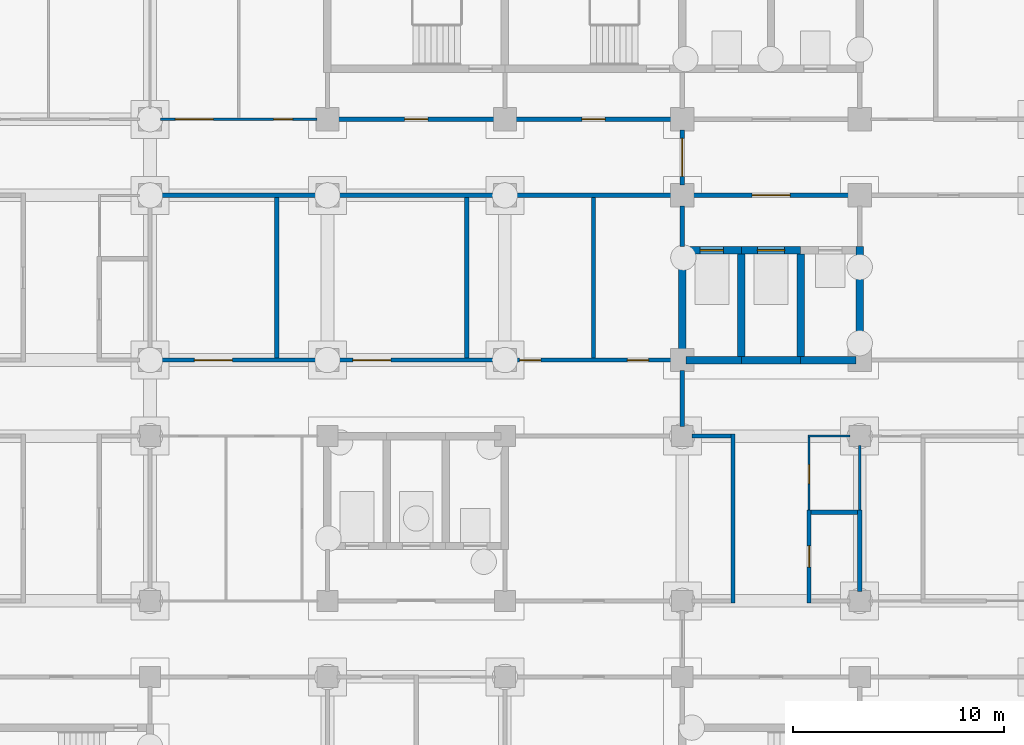
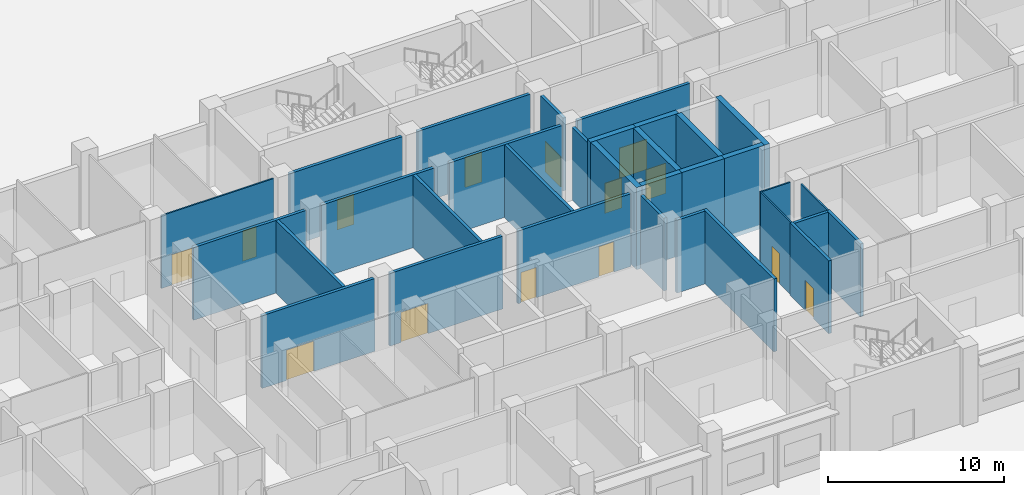
# One storey, part 86 of 146: 33 walls, 14 doors, 14 openings.
"""IFC4 building model written with IfcOpenShell, lengths in metres."""

from ifc_helpers import new_model, si_unit, direction, frame, frame_2d, origin, place, context, subcontext, project, spatial, rectangle, extrude, material, layer, layer_set, type_object, element, fill, save


model = new_model("IFC4")

# Units and contexts
model_context = context("Model", 3, precision=1e-05, world=origin(), true_north=direction((0.0, 1.0)))
body_context = subcontext(model_context, "Body", "Model", "MODEL_VIEW")
ifc_project = project(units=[si_unit("LENGTHUNIT", "METRE"), si_unit("AREAUNIT", "SQUARE_METRE"), si_unit("VOLUMEUNIT", "CUBIC_METRE"), si_unit("PLANEANGLEUNIT", "RADIAN"), si_unit("MASSUNIT", "GRAM", prefix="KILO")], contexts=[model_context])

# Site, building, storey
site_placement = place(None, origin())
site = spatial("IfcSite", under=ifc_project, at=site_placement, CompositionType="ELEMENT")
building_placement = place(site_placement, origin())
building = spatial("IfcBuilding", under=site, at=building_placement, Name="Bougainvillea Quay General Hospital", CompositionType="ELEMENT")
storey_placement = place(building_placement, origin())
storey = spatial("IfcBuildingStorey", under=building, at=storey_placement, Name="L00", CompositionType="ELEMENT", Elevation=0.0)

# Wall, openings, doors
ifc_material_1 = material(Name="Gypsum board partition on steel studs", Category="steel")
ifc_layer_1 = layer(ifc_material_1, 0.10009765625)
ifc_layer_set_1 = layer_set([ifc_layer_1], Name="Gypsum board partition on steel studs")
wall_type_1 = type_object("IfcWallType", Name="Partition 100 Gypsum board partition", PredefinedType="PARTITIONING", material=ifc_layer_set_1)
wall_1_placement = place(storey_placement, frame((133.89990234375, 151.800048828125, 0.0), z_axis=(0.0, 0.0, 1.0), x_axis=(-1.0, 0.0, 0.0)))
wall_1 = element("IfcWall", 1, at=wall_1_placement, inside=storey, type_object=wall_type_1, Name="Partition 100 mm", PredefinedType="PARTITIONING", context=body_context, shape_type="SweptSolid", body=[
    extrude(rectangle(XDim=7.39990234375, YDim=0.10009765625, at=frame_2d((3.699951171875, 0.0))), origin(), (0.0, 0.0, 1.0), 5.050048828125),
])
opening_1_placement = place(wall_1_placement, frame((4.89990234375, 0.0, 0.0)))
opening_1 = element("IfcOpeningElement", 2, at=opening_1_placement, cuts=wall_1, Name="Opening L00.199", PredefinedType="OPENING", context=body_context, shape_type="SweptSolid", body=[
    extrude(rectangle(XDim=1.800048828125, YDim=2.10009765625, at=frame_2d((0.89990234375, 1.050048828125))), frame((0.0, 0.06005859375, 0.0), z_axis=(0.0, -1.0, 0.0), x_axis=(1.0, 0.0, 0.0)), (0.0, 0.0, 1.0), 0.1201171875),
])
opening_2_placement = place(wall_1_placement, frame((1.14990234375, 0.0, 0.0)))
opening_2 = element("IfcOpeningElement", 3, at=opening_2_placement, cuts=wall_1, Name="Opening L00.200", PredefinedType="OPENING", context=body_context, shape_type="SweptSolid", body=[
    extrude(rectangle(XDim=0.89990234375, YDim=2.10009765625, at=frame_2d((0.449951171875, 1.050048828125))), frame((0.0, 0.06005859375, 0.0), z_axis=(0.0, -1.0, 0.0), x_axis=(1.0, 0.0, 0.0)), (0.0, 0.0, 1.0), 0.1201171875),
])
ifc_material_2 = material(Name="Solid-core timber door leaves in steel frame", Category="steel")
door_type_1 = type_object("IfcDoorType", Name="Double leaf door 1800x2100", OperationType="DOUBLE_DOOR_SINGLE_SWING", PredefinedType="DOOR", material=ifc_material_2)
door_1_placement = place(opening_1_placement, frame((1.800048828125, 0.0, 0.0), z_axis=(0.0, 0.0, 1.0), x_axis=(-1.0, 0.0, 0.0)))
door_1 = element("IfcDoor", 4, at=door_1_placement, inside=storey, type_object=door_type_1, Name="DT08 L00.199", OperationType="DOUBLE_DOOR_SINGLE_SWING", OverallHeight=2.10009765625, OverallWidth=1.800048828125, PredefinedType="DOOR", context=body_context, shape_type="SweptSolid", body=[
    extrude(rectangle(XDim=1.800048828125, YDim=2.10009765625, at=frame_2d((0.89990234375, 1.050048828125))), frame((0.0, 0.02490234375, 0.0), z_axis=(0.0, -1.0, 0.0), x_axis=(1.0, 0.0, 0.0)), (0.0, 0.0, 1.0), 0.050048828125),
])
fill(opening_1, door_1)
ifc_material_3 = material(Name="Solid-core timber door leaf in steel frame", Category="steel")
door_type_2 = type_object("IfcDoorType", Name="Single leaf door 900x2100", OperationType="NOTDEFINED", PredefinedType="DOOR", material=ifc_material_3)
door_2_placement = place(opening_2_placement, frame((0.89990234375, 0.0, 0.0), z_axis=(0.0, 0.0, 1.0), x_axis=(-1.0, 0.0, 0.0)))
door_2 = element("IfcDoor", 5, at=door_2_placement, inside=storey, type_object=door_type_2, Name="DT07 L00.200", OperationType="SINGLE_SWING_RIGHT", OverallHeight=2.10009765625, OverallWidth=0.89990234375, PredefinedType="DOOR", context=body_context, shape_type="SweptSolid", body=[
    extrude(rectangle(XDim=0.89990234375, YDim=2.10009765625, at=frame_2d((0.449951171875, 1.050048828125))), frame((0.0, 0.02490234375, 0.0), z_axis=(0.0, -1.0, 0.0), x_axis=(1.0, 0.0, 0.0)), (0.0, 0.0, 1.0), 0.050048828125),
])
fill(opening_2, door_2)

# Wall
wall_2_placement = place(storey_placement, frame((157.14990234375, 136.800048828125, 0.0), z_axis=(0.0, 0.0, 1.0), x_axis=(1.0, 0.0, 0.0)))
element("IfcWall", 6, at=wall_2_placement, inside=storey, type_object=wall_type_1, Name="Partition 100 mm", PredefinedType="PARTITIONING", context=body_context, shape_type="SweptSolid", body=[
    extrude(rectangle(XDim=2.0, YDim=0.10009765625, at=frame_2d((1.0, 0.0))), origin(), (0.0, 0.0, 1.0), 5.050048828125),
])

# Wall, opening, door
wall_3_placement = place(storey_placement, frame((157.199951171875, 133.300048828125, 0.0), z_axis=(0.0, 0.0, 1.0), x_axis=(0.0, 1.0, 0.0)))
wall_3 = element("IfcWall", 7, at=wall_3_placement, inside=storey, type_object=wall_type_1, Name="Partition 100 mm", PredefinedType="PARTITIONING", context=body_context, shape_type="SweptSolid", body=[
    extrude(rectangle(XDim=3.449951171875, YDim=0.10009765625, at=frame_2d((1.72509765625, 0.0))), origin(), (0.0, 0.0, 1.0), 5.050048828125),
])
opening_3_placement = place(wall_3_placement, frame((1.25, 0.0, 0.0)))
opening_3 = element("IfcOpeningElement", 8, at=opening_3_placement, cuts=wall_3, Name="Opening L00.160", PredefinedType="OPENING", context=body_context, shape_type="SweptSolid", body=[
    extrude(rectangle(XDim=0.89990234375, YDim=2.10009765625, at=frame_2d((0.449951171875, 1.050048828125))), frame((0.0, 0.06005859375, 0.0), z_axis=(0.0, -1.0, 0.0), x_axis=(1.0, 0.0, 0.0)), (0.0, 0.0, 1.0), 0.1201171875),
])
door_3_placement = place(opening_3_placement, frame((0.89990234375, 0.0, 0.0), z_axis=(0.0, 0.0, 1.0), x_axis=(-1.0, 0.0, 0.0)))
door_3 = element("IfcDoor", 9, at=door_3_placement, inside=storey, type_object=door_type_2, Name="DT07 L00.160", OperationType="SINGLE_SWING_RIGHT", OverallHeight=2.10009765625, OverallWidth=0.89990234375, PredefinedType="DOOR", context=body_context, shape_type="SweptSolid", body=[
    extrude(rectangle(XDim=0.89990234375, YDim=2.10009765625, at=frame_2d((0.449951171875, 1.050048828125))), frame((0.0, 0.02490234375, 0.0), z_axis=(0.0, -1.0, 0.0), x_axis=(1.0, 0.0, 0.0)), (0.0, 0.0, 1.0), 0.050048828125),
])
fill(opening_3, door_3)

# Wall
wall_4_placement = place(storey_placement, frame((159.60009765625, 133.300048828125, 0.0), z_axis=(0.0, 0.0, 1.0), x_axis=(0.0, 1.0, 0.0)))
element("IfcWall", 10, at=wall_4_placement, inside=storey, type_object=wall_type_1, Name="Partition 100 mm", PredefinedType="PARTITIONING", context=body_context, shape_type="SweptSolid", body=[
    extrude(rectangle(XDim=3.050048828125, YDim=0.10009765625, at=frame_2d((1.52490234375, 0.0))), origin(), (0.0, 0.0, 1.0), 5.050048828125),
])

# Wall, opening, door
ifc_material_4 = material(Name="Fire-rated autoclaved aerated block wall, plastered")
ifc_layer_2 = layer(ifc_material_4, 0.199951171875)
ifc_layer_set_2 = layer_set([ifc_layer_2], Name="Fire-rated autoclaved aerated block wall, plastered")
wall_type_2 = type_object("IfcWallType", Name="Partition 200 Fire-rated autoclaved aerated block wall EI 120", PredefinedType="SOLIDWALL", material=ifc_layer_set_2)
wall_5_placement = place(storey_placement, frame((151.199951171875, 151.300048828125, 0.0), z_axis=(0.0, 0.0, 1.0), x_axis=(0.0, -1.0, 0.0)))
wall_5 = element("IfcWall", 11, at=wall_5_placement, inside=storey, type_object=wall_type_2, Name="Partition 200 mm EI 120", PredefinedType="SOLIDWALL", context=body_context, shape_type="SweptSolid", body=[
    extrude(rectangle(XDim=2.60009765625, YDim=0.199951171875, at=frame_2d((1.300048828125, 0.0))), origin(), (0.0, 0.0, 1.0), 5.050048828125),
])
opening_4_placement = place(wall_5_placement, frame((0.39990234375, 0.0, 0.0)))
opening_4 = element("IfcOpeningElement", 12, at=opening_4_placement, cuts=wall_5, Name="Opening L00.018", PredefinedType="OPENING", context=body_context, shape_type="SweptSolid", body=[
    extrude(rectangle(XDim=1.800048828125, YDim=2.10009765625, at=frame_2d((0.89990234375, 1.050048828125))), frame((0.0, 0.10986328125, 0.0), z_axis=(0.0, -1.0, 0.0), x_axis=(1.0, 0.0, 0.0)), (0.0, 0.0, 1.0), 0.219970703125),
])
ifc_material_5 = material(Name="Steel fire door leaves in steel frame", Category="steel")
door_type_3 = type_object("IfcDoorType", Name="Steel double leaf door 1800x2100 FD90", OperationType="DOUBLE_DOOR_SINGLE_SWING", PredefinedType="DOOR", material=ifc_material_5)
door_4_placement = place(opening_4_placement, frame((1.800048828125, 0.0, 0.0), z_axis=(0.0, 0.0, 1.0), x_axis=(-1.0, 0.0, 0.0)))
door_4 = element("IfcDoor", 13, at=door_4_placement, inside=storey, type_object=door_type_3, Name="DT03 L00.018", OperationType="DOUBLE_DOOR_SINGLE_SWING", OverallHeight=2.10009765625, OverallWidth=1.800048828125, PredefinedType="DOOR", context=body_context, shape_type="SweptSolid", body=[
    extrude(rectangle(XDim=1.800048828125, YDim=2.10009765625, at=frame_2d((0.89990234375, 1.050048828125))), frame((0.0, 0.02490234375, 0.0), z_axis=(0.0, -1.0, 0.0), x_axis=(1.0, 0.0, 0.0)), (0.0, 0.0, 1.0), 0.050048828125),
])
fill(opening_4, door_4)

# Wall
wall_6_placement = place(storey_placement, frame((151.199951171875, 147.699951171875, 0.0), z_axis=(0.0, 0.0, 1.0), x_axis=(0.0, -1.0, 0.0)))
element("IfcWall", 14, at=wall_6_placement, inside=storey, type_object=wall_type_2, Name="Partition 200 mm EI 120", PredefinedType="SOLIDWALL", context=body_context, shape_type="SweptSolid", body=[
    extrude(rectangle(XDim=1.925048828125, YDim=0.199951171875, at=frame_2d((0.96240234375, 0.0))), origin(), (0.0, 0.0, 1.0), 5.050048828125),
])

# Wall, opening, door
wall_7_placement = place(storey_placement, frame((150.699951171875, 151.800048828125, 0.0), z_axis=(0.0, 0.0, 1.0), x_axis=(-1.0, 0.0, 0.0)))
wall_7 = element("IfcWall", 15, at=wall_7_placement, inside=storey, type_object=wall_type_2, Name="Partition 200 mm EI 120", PredefinedType="SOLIDWALL", context=body_context, shape_type="SweptSolid", body=[
    extrude(rectangle(XDim=7.39990234375, YDim=0.199951171875, at=frame_2d((3.699951171875, 0.0))), origin(), (0.0, 0.0, 1.0), 5.050048828125),
])
opening_5_placement = place(wall_7_placement, frame((3.14990234375, 0.0, 0.0)))
opening_5 = element("IfcOpeningElement", 16, at=opening_5_placement, cuts=wall_7, Name="Opening L00.045", PredefinedType="OPENING", context=body_context, shape_type="SweptSolid", body=[
    extrude(rectangle(XDim=1.10009765625, YDim=2.10009765625, at=frame_2d((0.550048828125, 1.050048828125))), frame((0.0, 0.10986328125, 0.0), z_axis=(0.0, -1.0, 0.0), x_axis=(1.0, 0.0, 0.0)), (0.0, 0.0, 1.0), 0.219970703125),
])
ifc_material_6 = material(Name="Steel fire door leaf in steel frame", Category="steel")
door_type_4 = type_object("IfcDoorType", Name="Steel single leaf door 1100x2100 FD60", OperationType="NOTDEFINED", PredefinedType="DOOR", material=ifc_material_6)
door_5_placement = place(opening_5_placement, frame((1.10009765625, 0.0, 0.0), z_axis=(0.0, 0.0, 1.0), x_axis=(-1.0, 0.0, 0.0)))
door_5 = element("IfcDoor", 17, at=door_5_placement, inside=storey, type_object=door_type_4, Name="DT04 L00.045", OperationType="SINGLE_SWING_RIGHT", OverallHeight=2.10009765625, OverallWidth=1.10009765625, PredefinedType="DOOR", context=body_context, shape_type="SweptSolid", body=[
    extrude(rectangle(XDim=1.10009765625, YDim=2.10009765625, at=frame_2d((0.550048828125, 1.050048828125))), frame((0.0, 0.02490234375, 0.0), z_axis=(0.0, -1.0, 0.0), x_axis=(1.0, 0.0, 0.0)), (0.0, 0.0, 1.0), 0.050048828125),
])
fill(opening_5, door_5)

wall_8_placement = place(storey_placement, frame((142.300048828125, 151.800048828125, 0.0), z_axis=(0.0, 0.0, 1.0), x_axis=(-1.0, 0.0, 0.0)))
wall_8 = element("IfcWall", 18, at=wall_8_placement, inside=storey, type_object=wall_type_2, Name="Partition 200 mm EI 120", PredefinedType="SOLIDWALL", context=body_context, shape_type="SweptSolid", body=[
    extrude(rectangle(XDim=7.400146484375, YDim=0.199951171875, at=frame_2d((3.7001953125, 0.0))), origin(), (0.0, 0.0, 1.0), 5.050048828125),
])
opening_6_placement = place(wall_8_placement, frame((3.14990234375, 0.0, 0.0)))
opening_6 = element("IfcOpeningElement", 19, at=opening_6_placement, cuts=wall_8, Name="Opening L00.037", PredefinedType="OPENING", context=body_context, shape_type="SweptSolid", body=[
    extrude(rectangle(XDim=1.10009765625, YDim=2.10009765625, at=frame_2d((0.550048828125, 1.050048828125))), frame((0.0, 0.10986328125, 0.0), z_axis=(0.0, -1.0, 0.0), x_axis=(1.0, 0.0, 0.0)), (0.0, 0.0, 1.0), 0.219970703125),
])
door_6_placement = place(opening_6_placement, frame((1.10009765625, 0.0, 0.0), z_axis=(0.0, 0.0, 1.0), x_axis=(-1.0, 0.0, 0.0)))
door_6 = element("IfcDoor", 20, at=door_6_placement, inside=storey, type_object=door_type_4, Name="DT04 L00.037", OperationType="SINGLE_SWING_RIGHT", OverallHeight=2.10009765625, OverallWidth=1.10009765625, PredefinedType="DOOR", context=body_context, shape_type="SweptSolid", body=[
    extrude(rectangle(XDim=1.10009765625, YDim=2.10009765625, at=frame_2d((0.550048828125, 1.050048828125))), frame((0.0, 0.02490234375, 0.0), z_axis=(0.0, -1.0, 0.0), x_axis=(1.0, 0.0, 0.0)), (0.0, 0.0, 1.0), 0.050048828125),
])
fill(opening_6, door_6)

wall_9_placement = place(storey_placement, frame((151.699951171875, 148.199951171875, 0.0), z_axis=(0.0, 0.0, 1.0), x_axis=(1.0, 0.0, 0.0)))
wall_9 = element("IfcWall", 21, at=wall_9_placement, inside=storey, type_object=wall_type_2, Name="Partition 200 mm EI 120", PredefinedType="SOLIDWALL", context=body_context, shape_type="SweptSolid", body=[
    extrude(rectangle(XDim=7.400146484375, YDim=0.199951171875, at=frame_2d((3.7001953125, 0.0))), origin(), (0.0, 0.0, 1.0), 5.050048828125),
])
opening_7_placement = place(wall_9_placement, frame((2.800048828125, 0.0, 0.0)))
opening_7 = element("IfcOpeningElement", 22, at=opening_7_placement, cuts=wall_9, Name="Opening L00.048", PredefinedType="OPENING", context=body_context, shape_type="SweptSolid", body=[
    extrude(rectangle(XDim=1.800048828125, YDim=2.10009765625, at=frame_2d((0.89990234375, 1.050048828125))), frame((0.0, 0.10986328125, 0.0), z_axis=(0.0, -1.0, 0.0), x_axis=(1.0, 0.0, 0.0)), (0.0, 0.0, 1.0), 0.219970703125),
])
door_type_5 = type_object("IfcDoorType", Name="Steel double leaf door 1800x2100 FD60", OperationType="DOUBLE_DOOR_SINGLE_SWING", PredefinedType="DOOR", material=ifc_material_5)
door_7_placement = place(opening_7_placement, frame((1.800048828125, 0.0, 0.0), z_axis=(0.0, 0.0, 1.0), x_axis=(-1.0, 0.0, 0.0)))
door_7 = element("IfcDoor", 23, at=door_7_placement, inside=storey, type_object=door_type_5, Name="DT05 L00.048", OperationType="DOUBLE_DOOR_SINGLE_SWING", OverallHeight=2.10009765625, OverallWidth=1.800048828125, PredefinedType="DOOR", context=body_context, shape_type="SweptSolid", body=[
    extrude(rectangle(XDim=1.800048828125, YDim=2.10009765625, at=frame_2d((0.89990234375, 1.050048828125))), frame((0.0, 0.02490234375, 0.0), z_axis=(0.0, -1.0, 0.0), x_axis=(1.0, 0.0, 0.0)), (0.0, 0.0, 1.0), 0.050048828125),
])
fill(opening_7, door_7)

# Wall
wall_10_placement = place(storey_placement, frame((153.60009765625, 128.89990234375, 0.0), z_axis=(0.0, 0.0, 1.0), x_axis=(0.0, 1.0, 0.0)))
element("IfcWall", 24, at=wall_10_placement, inside=storey, type_object=wall_type_2, Name="Partition 200 mm EI 120", PredefinedType="SOLIDWALL", context=body_context, shape_type="SweptSolid", body=[
    extrude(rectangle(XDim=8.0, YDim=0.199951171875, at=frame_2d((4.0, 0.0))), origin(), (0.0, 0.0, 1.0), 5.050048828125),
])

# Wall, opening, door
wall_11_placement = place(storey_placement, frame((157.199951171875, 128.89990234375, 0.0), z_axis=(0.0, 0.0, 1.0), x_axis=(0.0, 1.0, 0.0)))
wall_11 = element("IfcWall", 25, at=wall_11_placement, inside=storey, type_object=wall_type_2, Name="Partition 200 mm EI 120", PredefinedType="SOLIDWALL", context=body_context, shape_type="SweptSolid", body=[
    extrude(rectangle(XDim=4.400146484375, YDim=0.199951171875, at=frame_2d((2.2001953125, 0.0))), origin(), (0.0, 0.0, 1.0), 5.050048828125),
])
opening_8_placement = place(wall_11_placement, frame((1.699951171875, 0.0, 0.0)))
opening_8 = element("IfcOpeningElement", 26, at=opening_8_placement, cuts=wall_11, Name="Opening L00.159", PredefinedType="OPENING", context=body_context, shape_type="SweptSolid", body=[
    extrude(rectangle(XDim=1.0, YDim=2.10009765625, at=frame_2d((0.5, 1.050048828125))), frame((0.0, 0.10986328125, 0.0), z_axis=(0.0, -1.0, 0.0), x_axis=(1.0, 0.0, 0.0)), (0.0, 0.0, 1.0), 0.219970703125),
])
door_type_6 = type_object("IfcDoorType", Name="Steel single leaf door 1000x2100 FD90", OperationType="NOTDEFINED", PredefinedType="DOOR", material=ifc_material_6)
door_8_placement = place(opening_8_placement, frame((1.0, 0.0, 0.0), z_axis=(0.0, 0.0, 1.0), x_axis=(-1.0, 0.0, 0.0)))
door_8 = element("IfcDoor", 27, at=door_8_placement, inside=storey, type_object=door_type_6, Name="DT11 L00.159", OperationType="SINGLE_SWING_RIGHT", OverallHeight=2.10009765625, OverallWidth=1.0, PredefinedType="DOOR", context=body_context, shape_type="SweptSolid", body=[
    extrude(rectangle(XDim=1.0, YDim=2.10009765625, at=frame_2d((0.5, 1.050048828125))), frame((0.0, 0.02490234375, 0.0), z_axis=(0.0, -1.0, 0.0), x_axis=(1.0, 0.0, 0.0)), (0.0, 0.0, 1.0), 0.050048828125),
])
fill(opening_8, door_8)

# Walls
wall_12_placement = place(storey_placement, frame((159.60009765625, 129.449951171875, 0.0), z_axis=(0.0, 0.0, 1.0), x_axis=(0.0, 1.0, 0.0)))
element("IfcWall", 28, at=wall_12_placement, inside=storey, type_object=wall_type_2, Name="Partition 200 mm EI 120", PredefinedType="SOLIDWALL", context=body_context, shape_type="SweptSolid", body=[
    extrude(rectangle(XDim=3.85009765625, YDim=0.199951171875, at=frame_2d((1.925048828125, 0.0))), origin(), (0.0, 0.0, 1.0), 5.050048828125),
])
wall_13_placement = place(storey_placement, frame((151.199951171875, 137.25, 0.0), z_axis=(0.0, 0.0, 1.0), x_axis=(0.0, 1.0, 0.0)))
element("IfcWall", 29, at=wall_13_placement, inside=storey, type_object=wall_type_2, Name="Partition 200 mm EI 120", PredefinedType="SOLIDWALL", context=body_context, shape_type="SweptSolid", body=[
    extrude(rectangle(XDim=2.64990234375, YDim=0.199951171875, at=frame_2d((1.324951171875, 0.0))), origin(), (0.0, 0.0, 1.0), 5.050048828125),
])
wall_14_placement = place(storey_placement, frame((151.64990234375, 136.800048828125, 0.0), z_axis=(0.0, 0.0, 1.0), x_axis=(1.0, 0.0, 0.0)))
element("IfcWall", 30, at=wall_14_placement, inside=storey, type_object=wall_type_2, Name="Partition 200 mm EI 120", PredefinedType="SOLIDWALL", context=body_context, shape_type="SweptSolid", body=[
    extrude(rectangle(XDim=1.85009765625, YDim=0.199951171875, at=frame_2d((0.925048828125, 0.0))), origin(), (0.0, 0.0, 1.0), 5.050048828125),
])
wall_15_placement = place(storey_placement, frame((157.300048828125, 133.199951171875, 0.0), z_axis=(0.0, 0.0, 1.0), x_axis=(1.0, 0.0, 0.0)))
element("IfcWall", 31, at=wall_15_placement, inside=storey, type_object=wall_type_2, Name="Partition 200 mm EI 120", PredefinedType="SOLIDWALL", context=body_context, shape_type="SweptSolid", body=[
    extrude(rectangle(XDim=2.199951171875, YDim=0.199951171875, at=frame_2d((1.10009765625, 0.0))), origin(), (0.0, 0.0, 1.0), 5.050048828125),
])

# Wall, openings, doors
ifc_layer_3 = layer(ifc_material_4, 0.199951171875)
ifc_layer_set_3 = layer_set([ifc_layer_3], Name="Fire-rated autoclaved aerated block wall, plastered")
wall_type_3 = type_object("IfcWallType", Name="Partition 200 Fire-rated autoclaved aerated block wall EI 60", PredefinedType="SOLIDWALL", material=ifc_layer_set_3)
wall_16_placement = place(storey_placement, frame((150.699951171875, 140.39990234375, 0.0), z_axis=(0.0, 0.0, 1.0), x_axis=(-1.0, 0.0, 0.0)))
wall_16 = element("IfcWall", 32, at=wall_16_placement, inside=storey, type_object=wall_type_3, Name="Partition 200 mm EI 60", PredefinedType="SOLIDWALL", context=body_context, shape_type="SweptSolid", body=[
    extrude(rectangle(XDim=7.39990234375, YDim=0.199951171875, at=frame_2d((3.699951171875, 0.0))), origin(), (0.0, 0.0, 1.0), 5.050048828125),
])
opening_9_placement = place(wall_16_placement, frame((6.199951171875, 0.0, 0.0)))
opening_9 = element("IfcOpeningElement", 33, at=opening_9_placement, cuts=wall_16, Name="Opening L00.197", PredefinedType="OPENING", context=body_context, shape_type="SweptSolid", body=[
    extrude(rectangle(XDim=1.0, YDim=2.10009765625, at=frame_2d((0.5, 1.050048828125))), frame((0.0, 0.10986328125, 0.0), z_axis=(0.0, -1.0, 0.0), x_axis=(1.0, 0.0, 0.0)), (0.0, 0.0, 1.0), 0.219970703125),
])
opening_10_placement = place(wall_16_placement, frame((1.10009765625, 0.0, 0.0)))
opening_10 = element("IfcOpeningElement", 34, at=opening_10_placement, cuts=wall_16, Name="Opening L00.198", PredefinedType="OPENING", context=body_context, shape_type="SweptSolid", body=[
    extrude(rectangle(XDim=1.0, YDim=2.10009765625, at=frame_2d((0.5, 1.050048828125))), frame((0.0, 0.10986328125, 0.0), z_axis=(0.0, -1.0, 0.0), x_axis=(1.0, 0.0, 0.0)), (0.0, 0.0, 1.0), 0.219970703125),
])
door_type_7 = type_object("IfcDoorType", Name="Steel single leaf door 1000x2100 FD60", OperationType="NOTDEFINED", PredefinedType="DOOR", material=ifc_material_6)
door_9_placement = place(opening_9_placement, frame((1.0, 0.0, 0.0), z_axis=(0.0, 0.0, 1.0), x_axis=(-1.0, 0.0, 0.0)))
door_9 = element("IfcDoor", 35, at=door_9_placement, inside=storey, type_object=door_type_7, Name="DT10 L00.197", OperationType="SINGLE_SWING_LEFT", OverallHeight=2.10009765625, OverallWidth=1.0, PredefinedType="DOOR", context=body_context, shape_type="SweptSolid", body=[
    extrude(rectangle(XDim=1.0, YDim=2.10009765625, at=frame_2d((0.5, 1.050048828125))), frame((0.0, 0.02490234375, 0.0), z_axis=(0.0, -1.0, 0.0), x_axis=(1.0, 0.0, 0.0)), (0.0, 0.0, 1.0), 0.050048828125),
])
fill(opening_9, door_9)
door_10_placement = place(opening_10_placement, frame((1.0, 0.0, 0.0), z_axis=(0.0, 0.0, 1.0), x_axis=(-1.0, 0.0, 0.0)))
door_10 = element("IfcDoor", 36, at=door_10_placement, inside=storey, type_object=door_type_7, Name="DT10 L00.198", OperationType="SINGLE_SWING_RIGHT", OverallHeight=2.10009765625, OverallWidth=1.0, PredefinedType="DOOR", context=body_context, shape_type="SweptSolid", body=[
    extrude(rectangle(XDim=1.0, YDim=2.10009765625, at=frame_2d((0.5, 1.050048828125))), frame((0.0, 0.02490234375, 0.0), z_axis=(0.0, -1.0, 0.0), x_axis=(1.0, 0.0, 0.0)), (0.0, 0.0, 1.0), 0.050048828125),
])
fill(opening_10, door_10)

# Wall, opening, door
wall_17_placement = place(storey_placement, frame((142.300048828125, 140.39990234375, 0.0), z_axis=(0.0, 0.0, 1.0), x_axis=(-1.0, 0.0, 0.0)))
wall_17 = element("IfcWall", 37, at=wall_17_placement, inside=storey, type_object=wall_type_3, Name="Partition 200 mm EI 60", PredefinedType="SOLIDWALL", context=body_context, shape_type="SweptSolid", body=[
    extrude(rectangle(XDim=7.400146484375, YDim=0.199951171875, at=frame_2d((3.7001953125, 0.0))), origin(), (0.0, 0.0, 1.0), 5.050048828125),
])
opening_11_placement = place(wall_17_placement, frame((4.89990234375, 0.0, 0.0)))
opening_11 = element("IfcOpeningElement", 38, at=opening_11_placement, cuts=wall_17, Name="Opening L00.196", PredefinedType="OPENING", context=body_context, shape_type="SweptSolid", body=[
    extrude(rectangle(XDim=1.800048828125, YDim=2.10009765625, at=frame_2d((0.89990234375, 1.050048828125))), frame((0.0, 0.10986328125, 0.0), z_axis=(0.0, -1.0, 0.0), x_axis=(1.0, 0.0, 0.0)), (0.0, 0.0, 1.0), 0.219970703125),
])
door_11_placement = place(opening_11_placement, frame((1.800048828125, 0.0, 0.0), z_axis=(0.0, 0.0, 1.0), x_axis=(-1.0, 0.0, 0.0)))
door_11 = element("IfcDoor", 39, at=door_11_placement, inside=storey, type_object=door_type_5, Name="DT05 L00.196", OperationType="DOUBLE_DOOR_SINGLE_SWING", OverallHeight=2.10009765625, OverallWidth=1.800048828125, PredefinedType="DOOR", context=body_context, shape_type="SweptSolid", body=[
    extrude(rectangle(XDim=1.800048828125, YDim=2.10009765625, at=frame_2d((0.89990234375, 1.050048828125))), frame((0.0, 0.02490234375, 0.0), z_axis=(0.0, -1.0, 0.0), x_axis=(1.0, 0.0, 0.0)), (0.0, 0.0, 1.0), 0.050048828125),
])
fill(opening_11, door_11)

wall_18_placement = place(storey_placement, frame((133.89990234375, 140.39990234375, 0.0), z_axis=(0.0, 0.0, 1.0), x_axis=(-1.0, 0.0, 0.0)))
wall_18 = element("IfcWall", 40, at=wall_18_placement, inside=storey, type_object=wall_type_3, Name="Partition 200 mm EI 60", PredefinedType="SOLIDWALL", context=body_context, shape_type="SweptSolid", body=[
    extrude(rectangle(XDim=7.39990234375, YDim=0.199951171875, at=frame_2d((3.699951171875, 0.0))), origin(), (0.0, 0.0, 1.0), 5.050048828125),
])
opening_12_placement = place(wall_18_placement, frame((4.0, 0.0, 0.0)))
opening_12 = element("IfcOpeningElement", 41, at=opening_12_placement, cuts=wall_18, Name="Opening L00.195", PredefinedType="OPENING", context=body_context, shape_type="SweptSolid", body=[
    extrude(rectangle(XDim=1.800048828125, YDim=2.10009765625, at=frame_2d((0.89990234375, 1.050048828125))), frame((0.0, 0.10986328125, 0.0), z_axis=(0.0, -1.0, 0.0), x_axis=(1.0, 0.0, 0.0)), (0.0, 0.0, 1.0), 0.219970703125),
])
door_12_placement = place(opening_12_placement, frame((1.800048828125, 0.0, 0.0), z_axis=(0.0, 0.0, 1.0), x_axis=(-1.0, 0.0, 0.0)))
door_12 = element("IfcDoor", 42, at=door_12_placement, inside=storey, type_object=door_type_5, Name="DT05 L00.195", OperationType="DOUBLE_DOOR_SINGLE_SWING", OverallHeight=2.10009765625, OverallWidth=1.800048828125, PredefinedType="DOOR", context=body_context, shape_type="SweptSolid", body=[
    extrude(rectangle(XDim=1.800048828125, YDim=2.10009765625, at=frame_2d((0.89990234375, 1.050048828125))), frame((0.0, 0.02490234375, 0.0), z_axis=(0.0, -1.0, 0.0), x_axis=(1.0, 0.0, 0.0)), (0.0, 0.0, 1.0), 0.050048828125),
])
fill(opening_12, door_12)

# Walls
wall_19_placement = place(storey_placement, frame((150.699951171875, 148.199951171875, 0.0), z_axis=(0.0, 0.0, 1.0), x_axis=(-1.0, 0.0, 0.0)))
element("IfcWall", 43, at=wall_19_placement, inside=storey, type_object=wall_type_3, Name="Partition 200 mm EI 60", PredefinedType="SOLIDWALL", context=body_context, shape_type="SweptSolid", body=[
    extrude(rectangle(XDim=7.39990234375, YDim=0.199951171875, at=frame_2d((3.699951171875, 0.0))), origin(), (0.0, 0.0, 1.0), 5.050048828125),
])
wall_20_placement = place(storey_placement, frame((142.300048828125, 148.199951171875, 0.0), z_axis=(0.0, 0.0, 1.0), x_axis=(-1.0, 0.0, 0.0)))
element("IfcWall", 44, at=wall_20_placement, inside=storey, type_object=wall_type_3, Name="Partition 200 mm EI 60", PredefinedType="SOLIDWALL", context=body_context, shape_type="SweptSolid", body=[
    extrude(rectangle(XDim=7.400146484375, YDim=0.199951171875, at=frame_2d((3.7001953125, 0.0))), origin(), (0.0, 0.0, 1.0), 5.050048828125),
])
wall_21_placement = place(storey_placement, frame((133.89990234375, 148.199951171875, 0.0), z_axis=(0.0, 0.0, 1.0), x_axis=(-1.0, 0.0, 0.0)))
element("IfcWall", 45, at=wall_21_placement, inside=storey, type_object=wall_type_3, Name="Partition 200 mm EI 60", PredefinedType="SOLIDWALL", context=body_context, shape_type="SweptSolid", body=[
    extrude(rectangle(XDim=7.39990234375, YDim=0.199951171875, at=frame_2d((3.699951171875, 0.0))), origin(), (0.0, 0.0, 1.0), 5.050048828125),
])
for number, where, z_axis, x_axis, name in (
    (46, (132.0, 140.5, 0.0), (0.0, 0.0, 1.0), (0.0, 1.0, 0.0), "Partition 200 mm EI 60"),
    (47, (141.0, 140.5, 0.0), (0.0, 0.0, 1.0), (0.0, 1.0, 0.0), "Partition 200 mm EI 60"),
    (48, (147.0, 140.5, 0.0), (0.0, 0.0, 1.0), (0.0, 1.0, 0.0), "Partition 200 mm EI 60"),
):
    element("IfcWall", number, at=place(storey_placement, frame(where, z_axis=z_axis, x_axis=x_axis)), inside=storey, type_object=wall_type_3, Name=name, PredefinedType="SOLIDWALL", context=body_context, shape_type="SweptSolid", body=[
        extrude(rectangle(XDim=7.60009765625, YDim=0.199951171875, at=frame_2d((3.800048828125, 0.0))), origin(), (0.0, 0.0, 1.0), 5.050048828125),
    ])

# Wall, opening, door
ifc_material_7 = material(Name="Concrete C40", Category="concrete")
ifc_layer_4 = layer(ifc_material_7, 0.35009765625)
ifc_layer_set_4 = layer_set([ifc_layer_4], Name="Concrete C40")
wall_type_4 = type_object("IfcWallType", Name="RC SHEAR WALL 350 C40", PredefinedType="SHEAR", material=ifc_layer_set_4)
wall_22_placement = place(storey_placement, frame((151.02490234375, 145.60009765625, -0.300048828125), z_axis=(0.0, 0.0, 1.0), x_axis=(1.0, 0.0, 0.0)))
wall_22 = element("IfcWall", 49, at=wall_22_placement, inside=storey, type_object=wall_type_4, Name="Shear wall L00", PredefinedType="SHEAR", context=body_context, shape_type="SweptSolid", body=[
    extrude(rectangle(XDim=2.97509765625, YDim=0.35009765625, at=frame_2d((1.487548828125, 0.0))), origin(), (0.0, 0.0, 1.0), 5.699951171875),
])
opening_13_placement = place(wall_22_placement, frame((1.02490234375, 0.0, 0.300048828125)))
opening_13 = element("IfcOpeningElement", 50, at=opening_13_placement, cuts=wall_22, Name="Opening LD-A2.1-L00", PredefinedType="OPENING", context=body_context, shape_type="SweptSolid", body=[
    extrude(rectangle(XDim=1.10009765625, YDim=2.10009765625, at=frame_2d((0.550048828125, 1.050048828125))), frame((0.0, 0.18505859375, 0.0), z_axis=(0.0, -1.0, 0.0), x_axis=(1.0, 0.0, 0.0)), (0.0, 0.0, 1.0), 0.3701171875),
])
ifc_material_8 = material(Name="Stainless steel centre-opening landing door", Category="steel")
door_type_8 = type_object("IfcDoorType", Name="Lift landing door 1100x2100 E 120", OperationType="DOUBLE_DOOR_SLIDING", PredefinedType="DOOR", material=ifc_material_8)
door_13_placement = place(opening_13_placement, origin())
door_13 = element("IfcDoor", 51, at=door_13_placement, inside=storey, type_object=door_type_8, Name="Lift landing door LB-A2-1 L00", OperationType="DOUBLE_DOOR_SLIDING", OverallHeight=2.10009765625, OverallWidth=1.10009765625, PredefinedType="DOOR", context=body_context, shape_type="SweptSolid", body=[
    extrude(rectangle(XDim=1.10009765625, YDim=2.10009765625, at=frame_2d((0.550048828125, 1.050048828125))), frame((0.0, 0.02490234375, 0.0), z_axis=(0.0, -1.0, 0.0), x_axis=(1.0, 0.0, 0.0)), (0.0, 0.0, 1.0), 0.050048828125),
])
fill(opening_13, door_13)

# Walls
wall_23_placement = place(storey_placement, frame((151.199951171875, 140.22509765625, -0.300048828125), z_axis=(0.0, 0.0, 1.0), x_axis=(0.0, 1.0, 0.0)))
element("IfcWall", 52, at=wall_23_placement, inside=storey, type_object=wall_type_4, Name="Shear wall L00", PredefinedType="SHEAR", context=body_context, shape_type="SweptSolid", body=[
    extrude(rectangle(XDim=5.199951171875, YDim=0.35009765625, at=frame_2d((2.60009765625, 0.0))), origin(), (0.0, 0.0, 1.0), 5.699951171875),
])
wall_24_placement = place(storey_placement, frame((151.375, 140.39990234375, -0.300048828125), z_axis=(0.0, 0.0, 1.0), x_axis=(1.0, 0.0, 0.0)))
element("IfcWall", 53, at=wall_24_placement, inside=storey, type_object=wall_type_4, Name="Shear wall L00", PredefinedType="SHEAR", context=body_context, shape_type="SweptSolid", body=[
    extrude(rectangle(XDim=2.625, YDim=0.35009765625, at=frame_2d((1.3125, 0.0))), origin(), (0.0, 0.0, 1.0), 5.699951171875),
])
wall_25_placement = place(storey_placement, frame((154.0, 140.39990234375, -0.300048828125), z_axis=(0.0, 0.0, 1.0), x_axis=(1.0, 0.0, 0.0)))
element("IfcWall", 54, at=wall_25_placement, inside=storey, type_object=wall_type_4, Name="Shear wall L00", PredefinedType="SHEAR", context=body_context, shape_type="SweptSolid", body=[
    extrude(rectangle(XDim=2.800048828125, YDim=0.35009765625, at=frame_2d((1.39990234375, 0.0))), origin(), (0.0, 0.0, 1.0), 5.699951171875),
])
wall_26_placement = place(storey_placement, frame((154.0, 140.574951171875, -0.300048828125), z_axis=(0.0, 0.0, 1.0), x_axis=(0.0, 1.0, 0.0)))
element("IfcWall", 55, at=wall_26_placement, inside=storey, type_object=wall_type_4, Name="Shear wall L00", PredefinedType="SHEAR", context=body_context, shape_type="SweptSolid", body=[
    extrude(rectangle(XDim=4.85009765625, YDim=0.35009765625, at=frame_2d((2.425048828125, 0.0))), origin(), (0.0, 0.0, 1.0), 5.699951171875),
])

# Wall, opening, door
wall_27_placement = place(storey_placement, frame((154.0, 145.60009765625, -0.300048828125), z_axis=(0.0, 0.0, 1.0), x_axis=(1.0, 0.0, 0.0)))
wall_27 = element("IfcWall", 56, at=wall_27_placement, inside=storey, type_object=wall_type_4, Name="Shear wall L00", PredefinedType="SHEAR", context=body_context, shape_type="SweptSolid", body=[
    extrude(rectangle(XDim=2.800048828125, YDim=0.35009765625, at=frame_2d((1.39990234375, 0.0))), origin(), (0.0, 0.0, 1.0), 5.699951171875),
])
opening_14_placement = place(wall_27_placement, frame((0.75, 0.0, 0.300048828125)))
opening_14 = element("IfcOpeningElement", 57, at=opening_14_placement, cuts=wall_27, Name="Opening LD-A2.2-L00", PredefinedType="OPENING", context=body_context, shape_type="SweptSolid", body=[
    extrude(rectangle(XDim=1.300048828125, YDim=2.10009765625, at=frame_2d((0.64990234375, 1.050048828125))), frame((0.0, 0.18505859375, 0.0), z_axis=(0.0, -1.0, 0.0), x_axis=(1.0, 0.0, 0.0)), (0.0, 0.0, 1.0), 0.3701171875),
])
door_type_9 = type_object("IfcDoorType", Name="Lift landing door 1300x2100 E 120", OperationType="DOUBLE_DOOR_SLIDING", PredefinedType="DOOR", material=ifc_material_8)
door_14_placement = place(opening_14_placement, origin())
door_14 = element("IfcDoor", 58, at=door_14_placement, inside=storey, type_object=door_type_9, Name="Lift landing door LB-A2-2 L00", OperationType="DOUBLE_DOOR_SLIDING", OverallHeight=2.10009765625, OverallWidth=1.300048828125, PredefinedType="DOOR", context=body_context, shape_type="SweptSolid", body=[
    extrude(rectangle(XDim=1.300048828125, YDim=2.10009765625, at=frame_2d((0.64990234375, 1.050048828125))), frame((0.0, 0.02490234375, 0.0), z_axis=(0.0, -1.0, 0.0), x_axis=(1.0, 0.0, 0.0)), (0.0, 0.0, 1.0), 0.050048828125),
])
fill(opening_14, door_14)

# Walls
wall_28_placement = place(storey_placement, frame((156.800048828125, 140.39990234375, -0.300048828125), z_axis=(0.0, 0.0, 1.0), x_axis=(1.0, 0.0, 0.0)))
element("IfcWall", 59, at=wall_28_placement, inside=storey, type_object=wall_type_4, Name="Shear wall L00", PredefinedType="SHEAR", context=body_context, shape_type="SweptSolid", body=[
    extrude(rectangle(XDim=2.625, YDim=0.35009765625, at=frame_2d((1.3125, 0.0))), origin(), (0.0, 0.0, 1.0), 5.699951171875),
])
wall_29_placement = place(storey_placement, frame((156.800048828125, 140.574951171875, -0.300048828125), z_axis=(0.0, 0.0, 1.0), x_axis=(0.0, 1.0, 0.0)))
element("IfcWall", 60, at=wall_29_placement, inside=storey, type_object=wall_type_4, Name="Shear wall L00", PredefinedType="SHEAR", context=body_context, shape_type="SweptSolid", body=[
    extrude(rectangle(XDim=4.85009765625, YDim=0.35009765625, at=frame_2d((2.425048828125, 0.0))), origin(), (0.0, 0.0, 1.0), 5.699951171875),
])
wall_30_placement = place(storey_placement, frame((159.60009765625, 140.22509765625, -0.300048828125), z_axis=(0.0, 0.0, 1.0), x_axis=(0.0, 1.0, 0.0)))
element("IfcWall", 61, at=wall_30_placement, inside=storey, type_object=wall_type_4, Name="Shear wall L00", PredefinedType="SHEAR", context=body_context, shape_type="SweptSolid", body=[
    extrude(rectangle(XDim=5.5498046875, YDim=0.35009765625, at=frame_2d((2.77490234375, 0.0))), origin(), (0.0, 0.0, 1.0), 5.699951171875),
])

save(model, "model.ifc")
